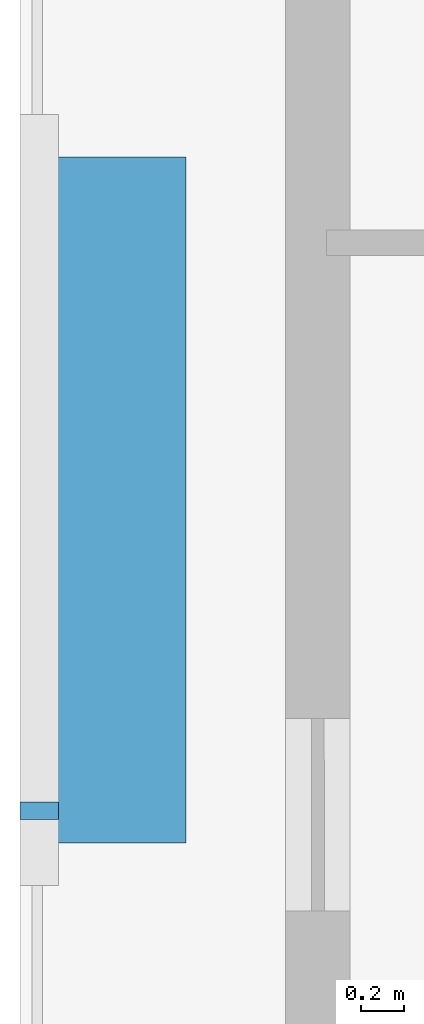
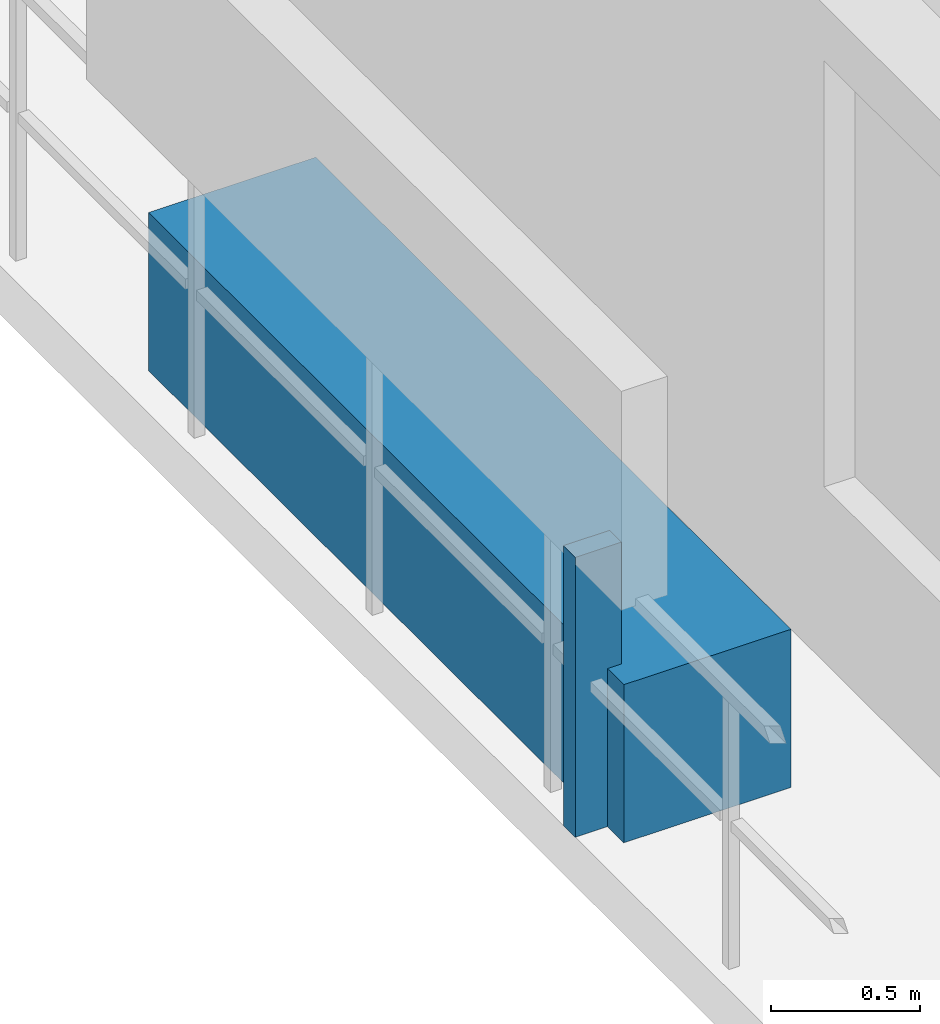
# One storey, part 27 of 32: 2 discrete accessories.
"""IFC4 building model written with IfcOpenShell, lengths in metres."""

import ifcopenshell
import ifcopenshell.guid

model = None  # the IFC model being written
_history = None  # IfcOwnerHistory: only IFC2X3 demands one
_inside = {}  # id of a spatial element -> (the spatial element, [elements in it])
_under = {}  # id of a project, library or spatial element -> (it, [spatial elements below it])
_declared = {}  # id of a project -> (the project, [libraries it declares])
_typed = {}  # id of a type object -> (the type object, [elements of that type])
_made_of = {}  # id of a material, layer set ... -> (it, [elements and type objects made of it])


def new_model(schema):
    """Start an empty IFC model of exactly this schema.

    Asked for "IFC4X3", IfcOpenShell would pick the latest addendum, in which some entities
    have other attributes; the version numbers below select the first issue.
    IFC2X3 requires an IfcOwnerHistory on every rooted entity: one is made here for all.
    """
    global model, _history
    if schema == "IFC4X3":
        model = ifcopenshell.file(schema_version=(4, 3, 0, 0))
    else:
        model = ifcopenshell.file(schema=schema)
    _inside.clear()
    _under.clear()
    _declared.clear()
    _typed.clear()
    _made_of.clear()
    _history = None
    if model.schema == "IFC2X3":
        org = make("IfcOrganization", Name="unknown")
        user = make(
            "IfcPersonAndOrganization",
            ThePerson=make("IfcPerson", FamilyName="unknown"),
            TheOrganization=org,
        )
        app = make(
            "IfcApplication",
            ApplicationDeveloper=org,
            Version="unknown",
            ApplicationFullName="unknown",
            ApplicationIdentifier="unknown",
        )
        _history = make(
            "IfcOwnerHistory",
            OwningUser=user,
            OwningApplication=app,
            ChangeAction="ADDED",
            CreationDate=0,
        )
    return model


def make(cls, **values):
    """One entity of the class cls with the attributes given. An attribute that is None is left unset."""
    return model.create_entity(
        cls, **{name: value for name, value in values.items() if value is not None}
    )


def rooted(cls, **values):
    """An entity with a GlobalId (a new one), such as an element, a storey or a relation."""
    return make(cls, GlobalId=ifcopenshell.guid.new(), OwnerHistory=_history, **values)


def si_unit(unit_type, name, prefix=None):
    """IfcSIUnit, for example si_unit("LENGTHUNIT", "METRE", prefix="MILLI")."""
    return make("IfcSIUnit", UnitType=unit_type, Prefix=prefix, Name=name)


def assignment(units):
    """IfcUnitAssignment: the units of a project."""
    return None if units is None else make("IfcUnitAssignment", Units=units)


def point(xyz):
    """IfcCartesianPoint."""
    return None if xyz is None else make("IfcCartesianPoint", Coordinates=xyz)


def direction(xyz):
    """IfcDirection."""
    return None if xyz is None else make("IfcDirection", DirectionRatios=xyz)


def frame(location, z_axis=None, x_axis=None):
    """IfcAxis2Placement3D, a coordinate frame: its origin and axes. An axis left out is left unset."""
    return make(
        "IfcAxis2Placement3D",
        Location=point(location),
        Axis=direction(z_axis),
        RefDirection=direction(x_axis),
    )


def frame_2d(location, x_axis=None):
    """IfcAxis2Placement2D, a coordinate frame in the plane: its origin and x axis."""
    return make(
        "IfcAxis2Placement2D", Location=point(location), RefDirection=direction(x_axis)
    )


def origin():
    """The frame at (0, 0, 0) with its axes left unset."""
    return frame((0.0, 0.0, 0.0))


def origin_2d():
    """The frame at (0, 0) in the plane with its x axis left unset."""
    return frame_2d((0.0, 0.0))


def place(relative_to, where):
    """IfcLocalPlacement: puts the frame where relative to a parent placement (None: the world)."""
    return make(
        "IfcLocalPlacement", PlacementRelTo=relative_to, RelativePlacement=where
    )


def context(
    kind, dimensions, precision=None, world=None, true_north=None, identifier=None
):
    """IfcGeometricRepresentationContext, for example the 3D "Model" context."""
    return make(
        "IfcGeometricRepresentationContext",
        ContextIdentifier=identifier,
        ContextType=kind,
        CoordinateSpaceDimension=dimensions,
        Precision=precision,
        WorldCoordinateSystem=world,
        TrueNorth=true_north,
    )


def subcontext(parent, identifier, kind, view, scale=None):
    """IfcGeometricRepresentationSubContext, for example "Body" below "Model"."""
    return make(
        "IfcGeometricRepresentationSubContext",
        ContextIdentifier=identifier,
        ContextType=kind,
        ParentContext=parent,
        TargetScale=scale,
        TargetView=view,
    )


def project(units=None, contexts=None):
    """IfcProject with its units and contexts."""
    return rooted(
        "IfcProject",
        Name="project",
        RepresentationContexts=contexts,
        UnitsInContext=assignment(units),
    )


def spatial(cls, under=None, at=None, **own):
    """A site, building, storey or space (cls), placed at a placement, below another one or the project."""
    s = rooted(cls, ObjectPlacement=at, **own)
    if under is not None:
        _under.setdefault(under.id(), (under, []))[1].append(s)
    return s


def profile(cls, at=None, kind="AREA", **sizes):
    """A parametric profile (cls). Its sizes go by their IFC names, for example OverallWidth=200.0."""
    return make(cls, ProfileType=kind, Position=at, **sizes)


def rectangle(**sizes):
    """IfcRectangleProfileDef."""
    return profile("IfcRectangleProfileDef", **sizes)


def extrude(swept, where, along, depth):
    """IfcExtrudedAreaSolid: the profile swept, set in the frame where, extruded along a direction by depth."""
    return make(
        "IfcExtrudedAreaSolid",
        SweptArea=swept,
        Position=where,
        ExtrudedDirection=direction(along),
        Depth=depth,
    )


def shape(context_of_items, identifier, shape_type, items):
    """IfcShapeRepresentation: the items that make up one representation, for example the "Body"."""
    return make(
        "IfcShapeRepresentation",
        ContextOfItems=context_of_items,
        RepresentationIdentifier=identifier,
        RepresentationType=shape_type,
        Items=items,
    )


def material(Name=None, Category=None):
    """IfcMaterial."""
    return make("IfcMaterial", Name=Name, Category=Category)


def made_of(thing, what):
    """Note that an element or type object is made of a material, layer set ...; save() writes the relation."""
    if what is not None:
        _made_of.setdefault(what.id(), (what, []))[1].append(thing)
    return thing


def type_object(cls, material=None, **own):
    """A type object (cls), such as IfcWallType, which elements share."""
    return made_of(rooted(cls, **own), material)


def element(
    cls,
    number,
    at=None,
    inside=None,
    cuts=None,
    type_object=None,
    material=None,
    context=None,
    identifier="Body",
    shape_type=None,
    held_by="IfcProductDefinitionShape",
    body=None,
    shapes=None,
    **own,
):
    """One element of the class cls, such as IfcWall. Its Tag is "e" and its number.

    at: its placement. inside: the storey or other place that contains it. cuts: it is an
    opening in that element (IfcRelVoidsElement). A single representation is given by context,
    identifier, shape_type and body (its items); several are given by shapes. held_by: the class
    of the entity that holds the representations. save() writes the other relations.
    """
    e = rooted(cls, Tag="e%d" % number, ObjectPlacement=at, **own)
    if body is not None:
        shapes = [shape(context, identifier, shape_type, body)]
    if shapes is not None:
        e.Representation = make(held_by, Representations=shapes)
    if inside is not None:
        _inside.setdefault(inside.id(), (inside, []))[1].append(e)
    if cuts is not None:
        rooted(
            "IfcRelVoidsElement", RelatingBuildingElement=cuts, RelatedOpeningElement=e
        )
    if type_object is not None:
        _typed.setdefault(type_object.id(), (type_object, []))[1].append(e)
    return made_of(e, material)


def aggregate(whole, parts):
    """IfcRelAggregates: a whole, such as a stair, and the parts it consists of."""
    return rooted("IfcRelAggregates", RelatingObject=whole, RelatedObjects=parts)


def save(model, path):
    """Write the relations noted so far, then the file.

    IfcRelAggregates (storeys below a building ...), IfcRelContainedInSpatialStructure (elements
    in a storey), IfcRelDefinesByType, IfcRelAssociatesMaterial and IfcRelDeclares: one each for
    every whole, place, type object, material and project.
    """
    for whole, parts in _under.values():
        aggregate(whole, parts)
    for where, things in _inside.values():
        rooted(
            "IfcRelContainedInSpatialStructure",
            RelatedElements=things,
            RelatingStructure=where,
        )
    for kind, things in _typed.values():
        rooted("IfcRelDefinesByType", RelatedObjects=things, RelatingType=kind)
    for what, things in _made_of.values():
        rooted("IfcRelAssociatesMaterial", RelatedObjects=things, RelatingMaterial=what)
    for by, libraries in _declared.values():
        rooted("IfcRelDeclares", RelatingContext=by, RelatedDefinitions=libraries)
    model.write(path)


model = new_model("IFC4")

# Units and contexts
model_context = context("Model", 3, precision=1e-05, world=origin(), true_north=direction((0.0, 1.0)))
body_context = subcontext(model_context, "Body", "Model", "MODEL_VIEW")
ifc_project = project(units=[si_unit("LENGTHUNIT", "METRE"), si_unit("AREAUNIT", "SQUARE_METRE"), si_unit("VOLUMEUNIT", "CUBIC_METRE"), si_unit("PLANEANGLEUNIT", "RADIAN"), si_unit("MASSUNIT", "GRAM", prefix="KILO")], contexts=[model_context])

# Site, building, storey
site_placement = place(None, origin())
site = spatial("IfcSite", under=ifc_project, at=site_placement, CompositionType="ELEMENT")
building_placement = place(site_placement, origin())
building = spatial("IfcBuilding", under=site, at=building_placement, Name="Thornwick Lancets Civic Towers", CompositionType="ELEMENT")
storey_placement = place(building_placement, frame((0.0, 0.0, 240.300048828125)))
storey = spatial("IfcBuildingStorey", under=building, at=storey_placement, Name="L64", CompositionType="ELEMENT", Elevation=240.300048828125)

# Discrete accessories
ifc_material_1 = material(Name="Planted terracotta greenery planter", Category="masonry")
discrete_accessory_type_1 = type_object("IfcDiscreteAccessoryType", Name="ACC_PLANTER_BOX", PredefinedType="USERDEFINED", material=ifc_material_1)
discrete_accessory_1_placement = place(storey_placement, frame((0.800048828125, 27.0, 0.0), z_axis=(0.0, 0.0, 1.0), x_axis=(1.0, 0.0, 0.0)))
element("IfcDiscreteAccessory", 1, at=discrete_accessory_1_placement, inside=storey, type_object=discrete_accessory_type_1, Name="L64 Tower A Balcony Greenery Planter W", ObjectType="PLANTER", PredefinedType="USERDEFINED", context=body_context, shape_type="SweptSolid", body=[
    extrude(rectangle(XDim=0.64990234375, YDim=3.199951171875, at=origin_2d()), origin(), (0.0, 0.0, 1.0), 0.64990234375),
])
ifc_material_2 = material(Name="Stainless steel S355", Category="steel")
discrete_accessory_type_2 = type_object("IfcDiscreteAccessoryType", Name="ACC_SCREEN_BRACKET", PredefinedType="BRACKET", material=ifc_material_2)
discrete_accessory_2_placement = place(storey_placement, frame((0.43994140625, 25.550048828125, 0.0), z_axis=(0.0, 0.0, 1.0), x_axis=(0.0, 1.0, 0.0)))
element("IfcDiscreteAccessory", 2, at=discrete_accessory_2_placement, inside=storey, type_object=discrete_accessory_type_2, Name="L64 Tower A Balcony Screen Stanchion Bracket W-1", PredefinedType="BRACKET", context=body_context, shape_type="SweptSolid", body=[
    extrude(rectangle(XDim=0.080078125, YDim=0.179931640625, at=origin_2d()), origin(), (0.0, 0.0, 1.0), 1.14990234375),
])

save(model, "model.ifc")
